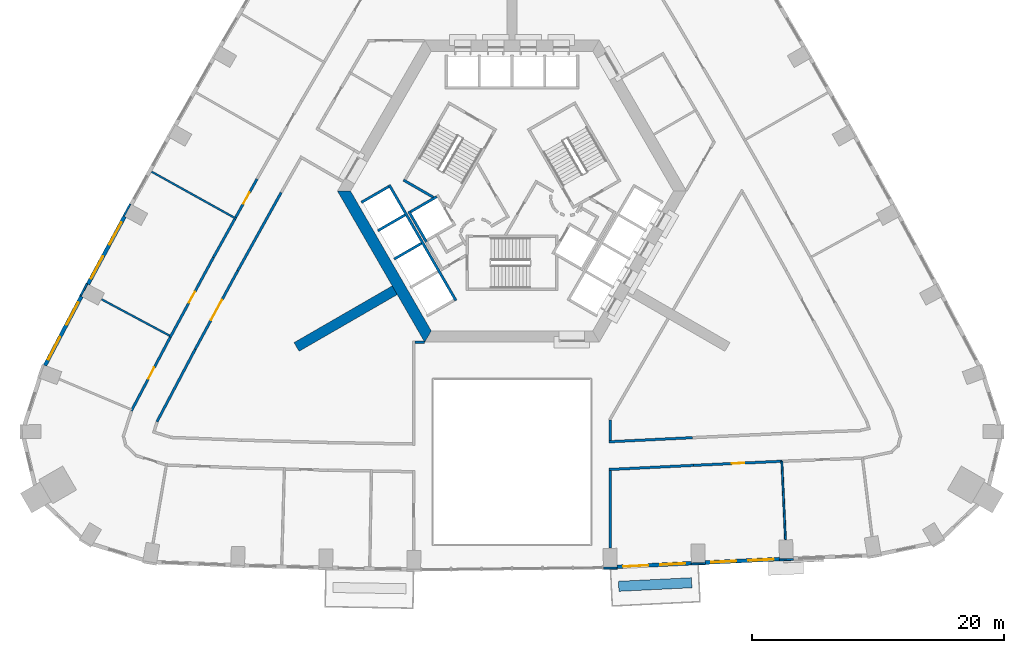
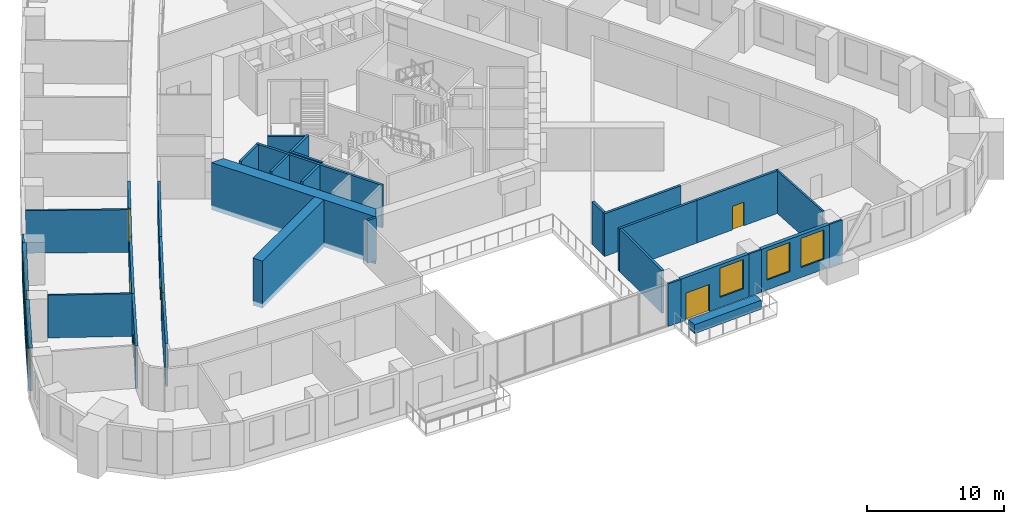
# One storey, part 5 of 14: 35 walls, 7 windows, 6 doors, 13 openings.
"""IFC4 building model written with IfcOpenShell, lengths in metres."""

from ifc_helpers import new_model, si_unit, direction, frame, frame_2d, origin, place, context, subcontext, project, spatial, polyline, rectangle, outline, extrude, material, layer, layer_set, type_object, element, fill, save


model = new_model("IFC4")

# Units and contexts
model_context = context("Model", 3, precision=1e-05, world=origin(), true_north=direction((0.0, 1.0)))
body_context = subcontext(model_context, "Body", "Model", "MODEL_VIEW")
ifc_project = project(units=[si_unit("LENGTHUNIT", "METRE"), si_unit("AREAUNIT", "SQUARE_METRE"), si_unit("VOLUMEUNIT", "CUBIC_METRE"), si_unit("PLANEANGLEUNIT", "RADIAN"), si_unit("MASSUNIT", "GRAM", prefix="KILO")], contexts=[model_context])

# Site, building, storey
site_placement = place(None, origin())
site = spatial("IfcSite", under=ifc_project, at=site_placement, CompositionType="ELEMENT")
building_placement = place(site_placement, origin())
building = spatial("IfcBuilding", under=site, at=building_placement, Name="Entoto Arch Interchange Tower", CompositionType="ELEMENT")
storey_placement = place(building_placement, frame((0.0, 0.0, 116.0)))
storey = spatial("IfcBuildingStorey", under=building, at=storey_placement, Name="L25", CompositionType="ELEMENT", Elevation=116.0)

# Walls
ifc_material_1 = material(Name="Concrete C60/75", Category="concrete")
ifc_layer_1 = layer(ifc_material_1, 0.800048828125)
ifc_layer_set_1 = layer_set([ifc_layer_1], Name="Concrete C60/75")
wall_type_1 = type_object("IfcWallType", Name="Buttress wall 800 C60/75", PredefinedType="SHEAR", material=ifc_layer_set_1)
wall_1_placement = place(storey_placement, frame((-9.31005859375, -5.375, -0.39990234375), z_axis=(0.0, 0.0, 1.0), x_axis=(-0.866017533419, -0.500013631625, 0.0)))
element("IfcWall", 1, at=wall_1_placement, inside=storey, type_object=wall_type_1, Name="Buttress wall SW L25", PredefinedType="SHEAR", context=body_context, shape_type="SweptSolid", body=[
    extrude(rectangle(XDim=8.999755859375, YDim=0.800048828125, at=frame_2d((4.5, 0.0))), origin(), (0.0, 0.0, 1.0), 4.199951171875),
])
ifc_layer_2 = layer(ifc_material_1, 0.89990234375)
ifc_layer_set_2 = layer_set([ifc_layer_2], Name="Concrete C60/75")
wall_type_2 = type_object("IfcWallType", Name="Core wall 900 C60/75", PredefinedType="SHEAR", material=ifc_layer_set_2)
wall_2_placement = place(storey_placement, frame((0.0, 0.0, -0.39990234375)))
element("IfcWall", 2, at=wall_2_placement, inside=storey, type_object=wall_type_2, Name="Core wall SW L25", PredefinedType="SHEAR", context=body_context, shape_type="SweptSolid", body=[
    extrude(outline(polyline([(-13.85595703125, 2.5), (-6.927978515625, -9.5), (-6.408935546875, -8.60009765625), (-12.81689453125, 2.5), (-13.85595703125, 2.5)])), origin(), (0.0, 0.0, 1.0), 4.199951171875),
])
ifc_material_2 = material(Name="Concrete C40/50", Category="concrete")
ifc_layer_3 = layer(ifc_material_2, 0.199951171875)
ifc_layer_set_3 = layer_set([ifc_layer_3], Name="Concrete C40/50")
wall_type_3 = type_object("IfcWallType", Name="LIFT SHAFT WALL 200", PredefinedType="STANDARD", material=ifc_layer_set_3)
wall_3_placement = place(storey_placement, frame((-8.19189453125, 0.887939453125, 0.0), z_axis=(0.0, 0.0, 1.0), x_axis=(0.49994636267, -0.866056369097, 0.0)))
element("IfcWall", 3, at=wall_3_placement, inside=storey, type_object=wall_type_3, Name="Shaft wall SW1 back", PredefinedType="STANDARD", context=body_context, shape_type="SweptSolid", body=[
    extrude(rectangle(XDim=2.800048828125, YDim=0.199951171875, at=frame_2d((1.39990234375, 0.0))), origin(), (0.0, 0.0, 1.0), 3.800048828125),
])
wall_4_placement = place(storey_placement, frame((-5.97705078125, 2.052001953125, 0.0), z_axis=(0.0, 0.0, 1.0), x_axis=(-0.865973769406, -0.500089422704, 0.0)))
element("IfcWall", 4, at=wall_4_placement, inside=storey, type_object=wall_type_3, Name="Shaft wall SW1 cross 1", PredefinedType="STANDARD", context=body_context, shape_type="SweptSolid", body=[
    extrude(rectangle(XDim=2.3994140625, YDim=0.199951171875, at=frame_2d((1.19970703125, 0.0))), origin(), (0.0, 0.0, 1.0), 3.800048828125),
])
wall_5_placement = place(storey_placement, frame((-9.7509765625, 2.989990234375, 0.0), z_axis=(0.0, 0.0, 1.0), x_axis=(0.50000090737, -0.866024879913, 0.0)))
element("IfcWall", 5, at=wall_5_placement, inside=storey, type_object=wall_type_3, Name="Shaft wall SW3 front", PredefinedType="STANDARD", context=body_context, shape_type="SweptSolid", body=[
    extrude(rectangle(XDim=10.60009765625, YDim=0.199951171875, at=frame_2d((5.300048828125, 0.0))), origin(), (0.0, 0.0, 1.0), 3.800048828125),
])
wall_6_placement = place(storey_placement, frame((-9.7880859375, 2.85302734375, 0.0), z_axis=(0.0, 0.0, 1.0), x_axis=(-0.865998541277, -0.500046524342, 0.0)))
element("IfcWall", 6, at=wall_6_placement, inside=storey, type_object=wall_type_3, Name="Shaft wall SW3 cross 1", PredefinedType="STANDARD", context=body_context, shape_type="SweptSolid", body=[
    extrude(rectangle(XDim=2.499755859375, YDim=0.199951171875, at=frame_2d((1.25, 0.0))), origin(), (0.0, 0.0, 1.0), 3.800048828125),
])
for number, where, z_axis, x_axis, name in (
    (7, (-8.488037109375, 0.60205078125, 0.0), (0.0, 0.0, 1.0), (-0.866022959057, -0.500004234368, 0.0), "Shaft wall SW3 cross 2"),
    (8, (-7.18798828125, -1.64990234375, 0.0), (0.0, 0.0, 1.0), (-0.866022959057, -0.500004234368, 0.0), "Shaft wall SW3 cross 3"),
):
    element("IfcWall", number, at=place(storey_placement, frame(where, z_axis=z_axis, x_axis=x_axis)), inside=storey, type_object=wall_type_3, Name=name, PredefinedType="STANDARD", context=body_context, shape_type="SweptSolid", body=[
        extrude(rectangle(XDim=2.5, YDim=0.199951171875, at=frame_2d((1.25, 0.0))), origin(), (0.0, 0.0, 1.0), 3.800048828125),
    ])
ifc_material_3 = material(Name="Gypsum board partition on steel studs", Category="steel")
ifc_layer_4 = layer(ifc_material_3, 0.14990234375)
ifc_layer_set_4 = layer_set([ifc_layer_4], Name="Gypsum board partition on steel studs")
wall_type_4 = type_object("IfcWallType", Name="PARTITION 150", PredefinedType="PARTITIONING", material=ifc_layer_set_4)
wall_7_placement = place(storey_placement, frame((21.4208984375, -18.949951171875, 0.0), z_axis=(0.0, 0.0, 1.0), x_axis=(0.046555976109, -0.998915682672, 0.0)))
element("IfcWall", 9, at=wall_7_placement, inside=storey, type_object=wall_type_4, Name="wall:L25:p119", PredefinedType="PARTITIONING", context=body_context, shape_type="SweptSolid", body=[
    extrude(rectangle(XDim=6.22998046875, YDim=0.14990234375, at=frame_2d((3.114990234375, 0.0))), origin(), (0.0, 0.0, 1.0), 3.800048828125),
])
wall_8_placement = place(storey_placement, frame((-21.885009765625, 0.300048828125, 0.0), z_axis=(0.0, 0.0, 1.0), x_axis=(-0.874095944746, 0.485753311237, 0.0)))
element("IfcWall", 10, at=wall_8_placement, inside=storey, type_object=wall_type_4, Name="wall:L25:p131", PredefinedType="PARTITIONING", context=body_context, shape_type="SweptSolid", body=[
    extrude(rectangle(XDim=7.699462890625, YDim=0.14990234375, at=frame_2d((3.849609375, 0.0))), origin(), (0.0, 0.0, 1.0), 3.800048828125),
])
wall_9_placement = place(storey_placement, frame((-27.181884765625, -8.98095703125, 0.0), z_axis=(0.0, 0.0, 1.0), x_axis=(-0.881899408669, 0.471437623647, 0.0)))
element("IfcWall", 11, at=wall_9_placement, inside=storey, type_object=wall_type_4, Name="wall:L25:p132", PredefinedType="PARTITIONING", context=body_context, shape_type="SweptSolid", body=[
    extrude(rectangle(XDim=6.1298828125, YDim=0.14990234375, at=frame_2d((3.06494140625, 0.0))), origin(), (0.0, 0.0, 1.0), 3.800048828125),
])
ifc_layer_5 = layer(ifc_material_3, 0.199951171875)
ifc_layer_set_5 = layer_set([ifc_layer_5], Name="Gypsum board partition on steel studs")
wall_type_5 = type_object("IfcWallType", Name="PARTITION 200", PredefinedType="PARTITIONING", material=ifc_layer_set_5)
wall_10_placement = place(storey_placement, frame((7.699951171875, -17.403076171875, 0.0), z_axis=(0.0, 0.0, 1.0), x_axis=(0.998792748077, 0.049122768543, 0.0)))
element("IfcWall", 12, at=wall_10_placement, inside=storey, type_object=wall_type_5, Name="wall:L25:p018", PredefinedType="PARTITIONING", context=body_context, shape_type="SweptSolid", body=[
    extrude(rectangle(XDim=6.6201171875, YDim=0.199951171875, at=frame_2d((3.31005859375, 0.0))), origin(), (0.0, 0.0, 1.0), 3.800048828125),
])
wall_11_placement = place(storey_placement, frame((-18.323974609375, 2.383056640625, 0.0), z_axis=(0.0, 0.0, 1.0), x_axis=(-0.485826874234, -0.874055060206, 0.0)))
element("IfcWall", 13, at=wall_11_placement, inside=storey, type_object=wall_type_5, Name="wall:L25:p028", PredefinedType="PARTITIONING", context=body_context, shape_type="SweptSolid", body=[
    extrude(rectangle(XDim=7.09912109375, YDim=0.199951171875, at=frame_2d((3.549560546875, 0.0))), origin(), (0.0, 0.0, 1.0), 3.800048828125),
])

# Wall, opening, door
wall_12_placement = place(storey_placement, frame((-21.77294921875, -3.822021484375, 0.0), z_axis=(0.0, 0.0, 1.0), x_axis=(-0.476124717613, -0.87937776483, 0.0)))
wall_12 = element("IfcWall", 14, at=wall_12_placement, inside=storey, type_object=wall_type_5, Name="wall:L25:p029", PredefinedType="PARTITIONING", context=body_context, shape_type="SweptSolid", body=[
    extrude(rectangle(XDim=7.099365234375, YDim=0.199951171875, at=frame_2d((3.5498046875, 0.0))), origin(), (0.0, 0.0, 1.0), 3.800048828125),
])
opening_1_placement = place(wall_12_placement, frame((2.64990234375, 0.0, 0.0)))
opening_1 = element("IfcOpeningElement", 15, at=opening_1_placement, cuts=wall_12, Name="Opening L25-D23", PredefinedType="OPENING", context=body_context, shape_type="SweptSolid", body=[
    extrude(rectangle(XDim=1.800048828125, YDim=2.10009765625, at=frame_2d((0.89990234375, 1.050048828125))), frame((0.0, 0.10986328125, 0.0), z_axis=(0.0, -1.0, 0.0), x_axis=(1.0, 0.0, 0.0)), (0.0, 0.0, 1.0), 0.219970703125),
])
ifc_material_4 = material(Name="Timber door leaf in Steel S235 frame", Category="steel")
door_type_1 = type_object("IfcDoorType", Name="DOOR DD-18 1800x2100", OperationType="DOUBLE_DOOR_SINGLE_SWING", PredefinedType="DOOR", material=ifc_material_4)
door_1_placement = place(opening_1_placement, origin())
door_1 = element("IfcDoor", 16, at=door_1_placement, inside=storey, type_object=door_type_1, Name="door:L25:23", OperationType="DOUBLE_DOOR_SINGLE_SWING", OverallHeight=2.10009765625, OverallWidth=1.800048828125, PredefinedType="DOOR", context=body_context, shape_type="SweptSolid", body=[
    extrude(rectangle(XDim=1.800048828125, YDim=2.10009765625, at=frame_2d((0.89990234375, 1.050048828125))), frame((0.0, 0.02490234375, 0.0), z_axis=(0.0, -1.0, 0.0), x_axis=(1.0, 0.0, 0.0)), (0.0, 0.0, 1.0), 0.050048828125),
])
fill(opening_1, door_1)

# Wall
wall_13_placement = place(storey_placement, frame((-25.153076171875, -10.06494140625, 0.0), z_axis=(0.0, 0.0, 1.0), x_axis=(-0.466663976618, -0.884434696813, 0.0)))
element("IfcWall", 17, at=wall_13_placement, inside=storey, type_object=wall_type_5, Name="wall:L25:p030", PredefinedType="PARTITIONING", context=body_context, shape_type="SweptSolid", body=[
    extrude(rectangle(XDim=6.501220703125, YDim=0.199951171875, at=frame_2d((3.25048828125, 0.0))), origin(), (0.0, 0.0, 1.0), 3.800048828125),
])

# Wall, opening, door
wall_14_placement = place(storey_placement, frame((21.49609375, -18.946044921875, 0.0), z_axis=(0.0, 0.0, 1.0), x_axis=(-0.99891602876, -0.046548549767, 0.0)))
wall_14 = element("IfcWall", 18, at=wall_14_placement, inside=storey, type_object=wall_type_5, Name="wall:L25:p036", PredefinedType="PARTITIONING", context=body_context, shape_type="SweptSolid", body=[
    extrude(rectangle(XDim=7.085693359375, YDim=0.199951171875, at=frame_2d((3.54296875, 0.0))), origin(), (0.0, 0.0, 1.0), 3.800048828125),
])
opening_2_placement = place(wall_14_placement, frame((3.04296875, 0.0, 0.0)))
opening_2 = element("IfcOpeningElement", 19, at=opening_2_placement, cuts=wall_14, Name="Opening L25-D01", PredefinedType="OPENING", context=body_context, shape_type="SweptSolid", body=[
    extrude(rectangle(XDim=1.0, YDim=2.10009765625, at=frame_2d((0.5, 1.050048828125))), frame((0.0, 0.10986328125, 0.0), z_axis=(0.0, -1.0, 0.0), x_axis=(1.0, 0.0, 0.0)), (0.0, 0.0, 1.0), 0.219970703125),
])
door_type_2 = type_object("IfcDoorType", Name="DOOR DS-10 1000x2100", OperationType="SINGLE_SWING_LEFT", PredefinedType="DOOR", material=ifc_material_4)
door_2_placement = place(opening_2_placement, origin())
door_2 = element("IfcDoor", 20, at=door_2_placement, inside=storey, type_object=door_type_2, Name="door:L25:01", OperationType="SINGLE_SWING_LEFT", OverallHeight=2.10009765625, OverallWidth=1.0, PredefinedType="DOOR", context=body_context, shape_type="SweptSolid", body=[
    extrude(rectangle(XDim=1.0, YDim=2.10009765625, at=frame_2d((0.5, 1.050048828125))), frame((0.0, 0.02490234375, 0.0), z_axis=(0.0, -1.0, 0.0), x_axis=(1.0, 0.0, 0.0)), (0.0, 0.0, 1.0), 0.050048828125),
])
fill(opening_2, door_2)

# Wall
wall_15_placement = place(storey_placement, frame((14.41796875, -19.27587890625, 0.0), z_axis=(0.0, 0.0, 1.0), x_axis=(-0.998802248261, -0.04892922305, 0.0)))
element("IfcWall", 21, at=wall_15_placement, inside=storey, type_object=wall_type_5, Name="wall:L25:p037", PredefinedType="PARTITIONING", context=body_context, shape_type="SweptSolid", body=[
    extrude(rectangle(XDim=6.72607421875, YDim=0.199951171875, at=frame_2d((3.363037109375, 0.0))), origin(), (0.0, 0.0, 1.0), 3.800048828125),
])

# Wall, opening, door
wall_16_placement = place(storey_placement, frame((-21.93603515625, 0.4140625, 0.0), z_axis=(0.0, 0.0, 1.0), x_axis=(0.485827202541, 0.874054877723, 0.0)))
wall_16 = element("IfcWall", 22, at=wall_16_placement, inside=storey, type_object=wall_type_5, Name="wall:L25:p064", PredefinedType="PARTITIONING", context=body_context, shape_type="SweptSolid", body=[
    extrude(rectangle(XDim=3.487060546875, YDim=0.199951171875, at=frame_2d((1.74365234375, 0.0))), origin(), (0.0, 0.0, 1.0), 3.800048828125),
])
opening_3_placement = place(wall_16_placement, frame((1.243896484375, 0.0, 0.0)))
opening_3 = element("IfcOpeningElement", 23, at=opening_3_placement, cuts=wall_16, Name="Opening L25-D13", PredefinedType="OPENING", context=body_context, shape_type="SweptSolid", body=[
    extrude(rectangle(XDim=1.0, YDim=2.10009765625, at=frame_2d((0.5, 1.050048828125))), frame((0.0, 0.10986328125, 0.0), z_axis=(0.0, -1.0, 0.0), x_axis=(1.0, 0.0, 0.0)), (0.0, 0.0, 1.0), 0.219970703125),
])
door_3_placement = place(opening_3_placement, origin())
door_3 = element("IfcDoor", 24, at=door_3_placement, inside=storey, type_object=door_type_2, Name="door:L25:13", OperationType="SINGLE_SWING_RIGHT", OverallHeight=2.10009765625, OverallWidth=1.0, PredefinedType="DOOR", context=body_context, shape_type="SweptSolid", body=[
    extrude(rectangle(XDim=1.0, YDim=2.10009765625, at=frame_2d((0.5, 1.050048828125))), frame((0.0, 0.02490234375, 0.0), z_axis=(0.0, -1.0, 0.0), x_axis=(1.0, 0.0, 0.0)), (0.0, 0.0, 1.0), 0.050048828125),
])
fill(opening_3, door_3)

wall_17_placement = place(storey_placement, frame((-27.12890625, -9.093994140625, 0.0), z_axis=(0.0, 0.0, 1.0), x_axis=(0.476090835435, 0.879396108938, 0.0)))
wall_17 = element("IfcWall", 25, at=wall_17_placement, inside=storey, type_object=wall_type_5, Name="wall:L25:p066", PredefinedType="PARTITIONING", context=body_context, shape_type="SweptSolid", body=[
    extrude(rectangle(XDim=7.1982421875, YDim=0.199951171875, at=frame_2d((3.59912109375, 0.0))), origin(), (0.0, 0.0, 1.0), 3.800048828125),
])
opening_4_placement = place(wall_17_placement, frame((3.09912109375, 0.0, 0.0)))
opening_4 = element("IfcOpeningElement", 26, at=opening_4_placement, cuts=wall_17, Name="Opening L25-D14", PredefinedType="OPENING", context=body_context, shape_type="SweptSolid", body=[
    extrude(rectangle(XDim=1.0, YDim=2.10009765625, at=frame_2d((0.5, 1.050048828125))), frame((0.0, 0.10986328125, 0.0), z_axis=(0.0, -1.0, 0.0), x_axis=(1.0, 0.0, 0.0)), (0.0, 0.0, 1.0), 0.219970703125),
])
door_4_placement = place(opening_4_placement, origin())
door_4 = element("IfcDoor", 27, at=door_4_placement, inside=storey, type_object=door_type_2, Name="door:L25:14", OperationType="SINGLE_SWING_RIGHT", OverallHeight=2.10009765625, OverallWidth=1.0, PredefinedType="DOOR", context=body_context, shape_type="SweptSolid", body=[
    extrude(rectangle(XDim=1.0, YDim=2.10009765625, at=frame_2d((0.5, 1.050048828125))), frame((0.0, 0.02490234375, 0.0), z_axis=(0.0, -1.0, 0.0), x_axis=(1.0, 0.0, 0.0)), (0.0, 0.0, 1.0), 0.050048828125),
])
fill(opening_4, door_4)

# Wall
wall_18_placement = place(storey_placement, frame((-23.701904296875, -2.763916015625, 0.0), z_axis=(0.0, 0.0, 1.0), x_axis=(0.485892653581, 0.874018494767, 0.0)))
element("IfcWall", 28, at=wall_18_placement, inside=storey, type_object=wall_type_5, Name="wall:L25:p067", PredefinedType="PARTITIONING", context=body_context, shape_type="SweptSolid", body=[
    extrude(rectangle(XDim=3.486083984375, YDim=0.199951171875, at=frame_2d((1.7431640625, 0.0))), origin(), (0.0, 0.0, 1.0), 3.800048828125),
])

# Wall, opening, door
wall_19_placement = place(storey_placement, frame((-30.220947265625, -14.9560546875, 0.0), z_axis=(0.0, 0.0, 1.0), x_axis=(0.466543318111, 0.884498350663, 0.0)))
wall_19 = element("IfcWall", 29, at=wall_19_placement, inside=storey, type_object=wall_type_5, Name="wall:L25:p068", PredefinedType="PARTITIONING", context=body_context, shape_type="SweptSolid", body=[
    extrude(rectangle(XDim=6.62744140625, YDim=0.199951171875, at=frame_2d((3.313720703125, 0.0))), origin(), (0.0, 0.0, 1.0), 3.800048828125),
])
opening_5_placement = place(wall_19_placement, frame((2.888916015625, 0.0, 0.0)))
opening_5 = element("IfcOpeningElement", 30, at=opening_5_placement, cuts=wall_19, Name="Opening L25-D15", PredefinedType="OPENING", context=body_context, shape_type="SweptSolid", body=[
    extrude(rectangle(XDim=1.0, YDim=2.10009765625, at=frame_2d((0.5, 1.050048828125))), frame((0.0, 0.10986328125, 0.0), z_axis=(0.0, -1.0, 0.0), x_axis=(1.0, 0.0, 0.0)), (0.0, 0.0, 1.0), 0.219970703125),
])
door_5_placement = place(opening_5_placement, origin())
door_5 = element("IfcDoor", 31, at=door_5_placement, inside=storey, type_object=door_type_2, Name="door:L25:15", OperationType="SINGLE_SWING_LEFT", OverallHeight=2.10009765625, OverallWidth=1.0, PredefinedType="DOOR", context=body_context, shape_type="SweptSolid", body=[
    extrude(rectangle(XDim=1.0, YDim=2.10009765625, at=frame_2d((0.5, 1.050048828125))), frame((0.0, 0.02490234375, 0.0), z_axis=(0.0, -1.0, 0.0), x_axis=(1.0, 0.0, 0.0)), (0.0, 0.0, 1.0), 0.050048828125),
])
fill(opening_5, door_5)

# Walls
wall_20_placement = place(storey_placement, frame((7.800048828125, -15.68994140625, 0.0), z_axis=(0.0, 0.0, 1.0), x_axis=(0.0, -1.0, 0.0)))
element("IfcWall", 32, at=wall_20_placement, inside=storey, type_object=wall_type_5, Name="wall:L25:p109", PredefinedType="PARTITIONING", context=body_context, shape_type="SweptSolid", body=[
    extrude(rectangle(XDim=1.608154296875, YDim=0.199951171875, at=frame_2d((0.80419921875, 0.0))), origin(), (0.0, 0.0, 1.0), 3.800048828125),
])
wall_21_placement = place(storey_placement, frame((-7.699951171875, -9.4990234375, 0.0), z_axis=(0.0, 0.0, 1.0), x_axis=(1.0, 0.0, 0.0)))
element("IfcWall", 33, at=wall_21_placement, inside=storey, type_object=wall_type_5, Name="wall:L25:p111", PredefinedType="PARTITIONING", context=body_context, shape_type="SweptSolid", body=[
    extrude(rectangle(XDim=0.77099609375, YDim=0.199951171875, at=frame_2d((0.385498046875, 0.0))), origin(), (0.0, 0.0, 1.0), 3.800048828125),
])
wall_22_placement = place(storey_placement, frame((7.800048828125, -19.700927734375, 0.0), z_axis=(0.0, 0.0, 1.0), x_axis=(0.0, -1.0, 0.0)))
element("IfcWall", 34, at=wall_22_placement, inside=storey, type_object=wall_type_5, Name="wall:L25:p112", PredefinedType="PARTITIONING", context=body_context, shape_type="SweptSolid", body=[
    extrude(rectangle(XDim=6.13916015625, YDim=0.199951171875, at=frame_2d((3.069580078125, 0.0))), origin(), (0.0, 0.0, 1.0), 3.800048828125),
])
ifc_material_5 = material(Name="Board-marked precast concrete C50/60", Category="concrete")
ifc_layer_6 = layer(ifc_material_5, 0.800048828125)
ifc_layer_set_6 = layer_set([ifc_layer_6], Name="Board-marked precast concrete C50/60")
wall_type_6 = type_object("IfcWallType", Name="PLANTER RC 800 Hagenia abyssinica", PredefinedType="STANDARD", material=ifc_layer_set_6)
wall_23_placement = place(storey_placement, frame((8.468017578125, -28.87890625, 0.0), z_axis=(0.0, 0.0, 1.0), x_axis=(0.998802192145, 0.048930368554, 0.0)))
element("IfcWall", 35, at=wall_23_placement, inside=storey, type_object=wall_type_6, Name="Planter S-05 L25", PredefinedType="STANDARD", context=body_context, shape_type="SweptSolid", body=[
    extrude(rectangle(XDim=5.802734375, YDim=0.800048828125, at=frame_2d((2.9013671875, 0.0))), origin(), (0.0, 0.0, 1.0), 0.800048828125),
])
ifc_layer_7 = layer(ifc_material_2, 0.199951171875)
ifc_layer_set_7 = layer_set([ifc_layer_7], Name="Concrete C40/50")
wall_type_7 = type_object("IfcWallType", Name="STAIR ENCLOSURE WALL 200", PredefinedType="STANDARD", material=ifc_layer_set_7)
wall_24_placement = place(storey_placement, frame((-6.25, 2.010009765625, 0.0), z_axis=(0.0, 0.0, 1.0), x_axis=(-0.86611865017, 0.499838457731, 0.0)))
element("IfcWall", 36, at=wall_24_placement, inside=storey, type_object=wall_type_7, Name="Stair wall ST-NW far", PredefinedType="STANDARD", context=body_context, shape_type="SweptSolid", body=[
    extrude(rectangle(XDim=2.73291015625, YDim=0.199951171875, at=frame_2d((1.366455078125, 0.0))), origin(), (0.0, 0.0, 1.0), 3.800048828125),
])

# Wall, openings, door, window
ifc_material_6 = material(Name="Welded tuff (ignimbrite) cladding, warm buff", Category="masonry")
ifc_layer_8 = layer(ifc_material_6, 0.300048828125)
ifc_layer_set_8 = layer_set([ifc_layer_8], Name="Welded tuff (ignimbrite) cladding, warm buff")
wall_type_8 = type_object("IfcWallType", Name="STONE INFILL WALL 300", PredefinedType="STANDARD", material=ifc_layer_set_8)
wall_25_placement = place(storey_placement, frame((8.346923828125, -27.3330078125, 0.0), z_axis=(0.0, 0.0, 1.0), x_axis=(0.998800343021, 0.048968099633, 0.0)))
wall_25 = element("IfcWall", 37, at=wall_25_placement, inside=storey, type_object=wall_type_8, Name="Facade wall S-05 L25", PredefinedType="STANDARD", context=body_context, shape_type="SweptSolid", body=[
    extrude(rectangle(XDim=5.903076171875, YDim=0.300048828125, at=frame_2d((2.95166015625, 0.0))), origin(), (0.0, 0.0, 1.0), 3.800048828125),
])
opening_6_placement = place(wall_25_placement, frame((0.47607421875, 0.0, 0.0)))
opening_6 = element("IfcOpeningElement", 38, at=opening_6_placement, cuts=wall_25, Name="Opening DB-S-05-L25", PredefinedType="OPENING", context=body_context, shape_type="SweptSolid", body=[
    extrude(rectangle(XDim=2.0, YDim=2.39990234375, at=frame_2d((1.0, 1.199951171875))), frame((0.0, 0.16015625, 0.0), z_axis=(0.0, -1.0, 0.0), x_axis=(1.0, 0.0, 0.0)), (0.0, 0.0, 1.0), 0.320068359375),
])
opening_7_placement = place(wall_25_placement, frame((3.427001953125, 0.0, 0.89990234375)))
opening_7 = element("IfcOpeningElement", 39, at=opening_7_placement, cuts=wall_25, Name="Opening WO-C", PredefinedType="OPENING", context=body_context, shape_type="SweptSolid", body=[
    extrude(rectangle(XDim=2.0, YDim=2.60009765625, at=frame_2d((1.0, 1.300048828125))), frame((0.0, 0.16015625, 0.0), z_axis=(0.0, -1.0, 0.0), x_axis=(1.0, 0.0, 0.0)), (0.0, 0.0, 1.0), 0.320068359375),
])
ifc_material_7 = material(Name="Aluminium and clear glass, anodised", Category="aluminium")
door_type_3 = type_object("IfcDoorType", Name="BALCONY DOOR DB 2000x2400", OperationType="SLIDING_TO_LEFT", PredefinedType="DOOR", material=ifc_material_7)
door_6_placement = place(opening_6_placement, origin())
door_6 = element("IfcDoor", 40, at=door_6_placement, inside=storey, type_object=door_type_3, Name="Balcony door S-05 L25", OperationType="SLIDING_TO_LEFT", OverallHeight=2.39990234375, OverallWidth=2.0, PredefinedType="DOOR", context=body_context, shape_type="SweptSolid", body=[
    extrude(rectangle(XDim=2.0, YDim=2.39990234375, at=frame_2d((1.0, 1.199951171875))), frame((0.0, 0.02490234375, 0.0), z_axis=(0.0, -1.0, 0.0), x_axis=(1.0, 0.0, 0.0)), (0.0, 0.0, 1.0), 0.050048828125),
])
fill(opening_6, door_6)
ifc_material_8 = material(Name="Clear glass, low-e double glazed", Category="glass")
window_type = type_object("IfcWindowType", Name="WINDOW WO-C 2000x2600", PartitioningType="DOUBLE_PANEL_VERTICAL", PredefinedType="WINDOW", material=ifc_material_8)
window_1_placement = place(opening_7_placement, origin())
window_1 = element("IfcWindow", 41, at=window_1_placement, inside=storey, type_object=window_type, Name="Window WO-C S-05 L25", OverallHeight=2.60009765625, OverallWidth=2.0, PartitioningType="SINGLE_PANEL", PredefinedType="WINDOW", context=body_context, shape_type="SweptSolid", body=[
    extrude(rectangle(XDim=2.0, YDim=2.60009765625, at=frame_2d((1.0, 1.300048828125))), frame((0.0, 0.030029296875, 0.0), z_axis=(0.0, -1.0, 0.0), x_axis=(1.0, 0.0, 0.0)), (0.0, 0.0, 1.0), 0.06005859375),
])
fill(opening_7, window_1)

# Wall, openings, windows
wall_26_placement = place(storey_placement, frame((15.340087890625, -26.990966796875, 0.0), z_axis=(0.0, 0.0, 1.0), x_axis=(0.998922139094, 0.046417238469, 0.0)))
wall_26 = element("IfcWall", 42, at=wall_26_placement, inside=storey, type_object=wall_type_8, Name="Facade wall S-06 L25", PredefinedType="STANDARD", context=body_context, shape_type="SweptSolid", body=[
    extrude(rectangle(XDim=5.9013671875, YDim=0.300048828125, at=frame_2d((2.95068359375, 0.0))), origin(), (0.0, 0.0, 1.0), 3.800048828125),
])
opening_8_placement = place(wall_26_placement, frame((0.47509765625, 0.0, 0.89990234375)))
opening_8 = element("IfcOpeningElement", 43, at=opening_8_placement, cuts=wall_26, Name="Opening WO-C", PredefinedType="OPENING", context=body_context, shape_type="SweptSolid", body=[
    extrude(rectangle(XDim=2.0, YDim=2.60009765625, at=frame_2d((1.0, 1.300048828125))), frame((0.0, 0.16015625, 0.0), z_axis=(0.0, -1.0, 0.0), x_axis=(1.0, 0.0, 0.0)), (0.0, 0.0, 1.0), 0.320068359375),
])
opening_9_placement = place(wall_26_placement, frame((3.426025390625, 0.0, 0.89990234375)))
opening_9 = element("IfcOpeningElement", 44, at=opening_9_placement, cuts=wall_26, Name="Opening WO-C", PredefinedType="OPENING", context=body_context, shape_type="SweptSolid", body=[
    extrude(rectangle(XDim=2.0, YDim=2.60009765625, at=frame_2d((1.0, 1.300048828125))), frame((0.0, 0.16015625, 0.0), z_axis=(0.0, -1.0, 0.0), x_axis=(1.0, 0.0, 0.0)), (0.0, 0.0, 1.0), 0.320068359375),
])
window_2_placement = place(opening_8_placement, origin())
window_2 = element("IfcWindow", 45, at=window_2_placement, inside=storey, type_object=window_type, Name="Window WO-C S-06 L25", OverallHeight=2.60009765625, OverallWidth=2.0, PartitioningType="SINGLE_PANEL", PredefinedType="WINDOW", context=body_context, shape_type="SweptSolid", body=[
    extrude(rectangle(XDim=2.0, YDim=2.60009765625, at=frame_2d((1.0, 1.300048828125))), frame((0.0, 0.030029296875, 0.0), z_axis=(0.0, -1.0, 0.0), x_axis=(1.0, 0.0, 0.0)), (0.0, 0.0, 1.0), 0.06005859375),
])
fill(opening_8, window_2)
window_3_placement = place(opening_9_placement, origin())
window_3 = element("IfcWindow", 46, at=window_3_placement, inside=storey, type_object=window_type, Name="Window WO-C S-06 L25", OverallHeight=2.60009765625, OverallWidth=2.0, PartitioningType="SINGLE_PANEL", PredefinedType="WINDOW", context=body_context, shape_type="SweptSolid", body=[
    extrude(rectangle(XDim=2.0, YDim=2.60009765625, at=frame_2d((1.0, 1.300048828125))), frame((0.0, 0.030029296875, 0.0), z_axis=(0.0, -1.0, 0.0), x_axis=(1.0, 0.0, 0.0)), (0.0, 0.0, 1.0), 0.06005859375),
])
fill(opening_9, window_3)

wall_27_placement = place(storey_placement, frame((-30.758056640625, 0.48095703125, 0.0), z_axis=(0.0, 0.0, 1.0), x_axis=(-0.476097776444, -0.879392351152, 0.0)))
wall_27 = element("IfcWall", 47, at=wall_27_placement, inside=storey, type_object=wall_type_8, Name="Facade wall NW-07 L25", PredefinedType="STANDARD", context=body_context, shape_type="SweptSolid", body=[
    extrude(rectangle(XDim=6.10986328125, YDim=0.300048828125, at=frame_2d((3.054931640625, 0.0))), origin(), (0.0, 0.0, 1.0), 3.800048828125),
])
opening_10_placement = place(wall_27_placement, frame((0.527099609375, 0.0, 0.89990234375)))
opening_10 = element("IfcOpeningElement", 48, at=opening_10_placement, cuts=wall_27, Name="Opening WO-C", PredefinedType="OPENING", context=body_context, shape_type="SweptSolid", body=[
    extrude(rectangle(XDim=2.0, YDim=2.60009765625, at=frame_2d((1.0, 1.300048828125))), frame((0.0, 0.16015625, 0.0), z_axis=(0.0, -1.0, 0.0), x_axis=(1.0, 0.0, 0.0)), (0.0, 0.0, 1.0), 0.320068359375),
])
opening_11_placement = place(wall_27_placement, frame((3.58203125, 0.0, 0.89990234375)))
opening_11 = element("IfcOpeningElement", 49, at=opening_11_placement, cuts=wall_27, Name="Opening WO-C", PredefinedType="OPENING", context=body_context, shape_type="SweptSolid", body=[
    extrude(rectangle(XDim=2.0, YDim=2.60009765625, at=frame_2d((1.0, 1.300048828125))), frame((0.0, 0.16015625, 0.0), z_axis=(0.0, -1.0, 0.0), x_axis=(1.0, 0.0, 0.0)), (0.0, 0.0, 1.0), 0.320068359375),
])
window_4_placement = place(opening_10_placement, origin())
window_4 = element("IfcWindow", 50, at=window_4_placement, inside=storey, type_object=window_type, Name="Window WO-C NW-07 L25", OverallHeight=2.60009765625, OverallWidth=2.0, PartitioningType="SINGLE_PANEL", PredefinedType="WINDOW", context=body_context, shape_type="SweptSolid", body=[
    extrude(rectangle(XDim=2.0, YDim=2.60009765625, at=frame_2d((1.0, 1.300048828125))), frame((0.0, 0.030029296875, 0.0), z_axis=(0.0, -1.0, 0.0), x_axis=(1.0, 0.0, 0.0)), (0.0, 0.0, 1.0), 0.06005859375),
])
fill(opening_10, window_4)
window_5_placement = place(opening_11_placement, origin())
window_5 = element("IfcWindow", 51, at=window_5_placement, inside=storey, type_object=window_type, Name="Window WO-C NW-07 L25", OverallHeight=2.60009765625, OverallWidth=2.0, PartitioningType="SINGLE_PANEL", PredefinedType="WINDOW", context=body_context, shape_type="SweptSolid", body=[
    extrude(rectangle(XDim=2.0, YDim=2.60009765625, at=frame_2d((1.0, 1.300048828125))), frame((0.0, 0.030029296875, 0.0), z_axis=(0.0, -1.0, 0.0), x_axis=(1.0, 0.0, 0.0)), (0.0, 0.0, 1.0), 0.06005859375),
])
fill(opening_11, window_5)

wall_28_placement = place(storey_placement, frame((-34.18505859375, -5.860107421875, 0.0), z_axis=(0.0, 0.0, 1.0), x_axis=(-0.466599547852, -0.88446868907, 0.0)))
wall_28 = element("IfcWall", 52, at=wall_28_placement, inside=storey, type_object=wall_type_8, Name="Facade wall NW-08 L25", PredefinedType="STANDARD", context=body_context, shape_type="SweptSolid", body=[
    extrude(rectangle(XDim=6.202392578125, YDim=0.300048828125, at=frame_2d((3.10107421875, 0.0))), origin(), (0.0, 0.0, 1.0), 3.800048828125),
])
opening_12_placement = place(wall_28_placement, frame((0.551025390625, 0.0, 0.89990234375)))
opening_12 = element("IfcOpeningElement", 53, at=opening_12_placement, cuts=wall_28, Name="Opening WO-C", PredefinedType="OPENING", context=body_context, shape_type="SweptSolid", body=[
    extrude(rectangle(XDim=2.0, YDim=2.60009765625, at=frame_2d((1.0, 1.300048828125))), frame((0.0, 0.16015625, 0.0), z_axis=(0.0, -1.0, 0.0), x_axis=(1.0, 0.0, 0.0)), (0.0, 0.0, 1.0), 0.320068359375),
])
opening_13_placement = place(wall_28_placement, frame((3.652099609375, 0.0, 0.89990234375)))
opening_13 = element("IfcOpeningElement", 54, at=opening_13_placement, cuts=wall_28, Name="Opening WO-C", PredefinedType="OPENING", context=body_context, shape_type="SweptSolid", body=[
    extrude(rectangle(XDim=2.0, YDim=2.60009765625, at=frame_2d((1.0, 1.300048828125))), frame((0.0, 0.16015625, 0.0), z_axis=(0.0, -1.0, 0.0), x_axis=(1.0, 0.0, 0.0)), (0.0, 0.0, 1.0), 0.320068359375),
])
window_6_placement = place(opening_12_placement, origin())
window_6 = element("IfcWindow", 55, at=window_6_placement, inside=storey, type_object=window_type, Name="Window WO-C NW-08 L25", OverallHeight=2.60009765625, OverallWidth=2.0, PartitioningType="SINGLE_PANEL", PredefinedType="WINDOW", context=body_context, shape_type="SweptSolid", body=[
    extrude(rectangle(XDim=2.0, YDim=2.60009765625, at=frame_2d((1.0, 1.300048828125))), frame((0.0, 0.030029296875, 0.0), z_axis=(0.0, -1.0, 0.0), x_axis=(1.0, 0.0, 0.0)), (0.0, 0.0, 1.0), 0.06005859375),
])
fill(opening_12, window_6)
window_7_placement = place(opening_13_placement, origin())
window_7 = element("IfcWindow", 56, at=window_7_placement, inside=storey, type_object=window_type, Name="Window WO-C NW-08 L25", OverallHeight=2.60009765625, OverallWidth=2.0, PartitioningType="SINGLE_PANEL", PredefinedType="WINDOW", context=body_context, shape_type="SweptSolid", body=[
    extrude(rectangle(XDim=2.0, YDim=2.60009765625, at=frame_2d((1.0, 1.300048828125))), frame((0.0, 0.030029296875, 0.0), z_axis=(0.0, -1.0, 0.0), x_axis=(1.0, 0.0, 0.0)), (0.0, 0.0, 1.0), 0.06005859375),
])
fill(opening_13, window_7)

# Walls
ifc_layer_9 = layer(ifc_material_6, 0.14990234375)
ifc_layer_set_9 = layer_set([ifc_layer_9], Name="Welded tuff (ignimbrite) cladding, warm buff")
wall_type_9 = type_object("IfcWallType", Name="STONE PIER CLADDING 150", PredefinedType="STANDARD", material=ifc_layer_set_9)
wall_29_placement = place(storey_placement, frame((-30.298095703125, 1.48291015625, 0.0), z_axis=(0.0, 0.0, 1.0), x_axis=(-0.479566870346, -0.877505337229, 0.0)))
element("IfcWall", 57, at=wall_29_placement, inside=storey, type_object=wall_type_9, Name="Stone pier NW07 L25", PredefinedType="STANDARD", context=body_context, shape_type="SweptSolid", body=[
    extrude(rectangle(XDim=1.1005859375, YDim=0.14990234375, at=frame_2d((0.55029296875, 0.0))), origin(), (0.0, 0.0, 1.0), 3.800048828125),
])
wall_30_placement = place(storey_placement, frame((-33.737060546875, -4.85400390625, 0.0), z_axis=(0.0, 0.0, 1.0), x_axis=(-0.46919310775, -0.883095593716, 0.0)))
element("IfcWall", 58, at=wall_30_placement, inside=storey, type_object=wall_type_9, Name="Stone pier NW08 L25", PredefinedType="STANDARD", context=body_context, shape_type="SweptSolid", body=[
    extrude(rectangle(XDim=1.099365234375, YDim=0.14990234375, at=frame_2d((0.5498046875, 0.0))), origin(), (0.0, 0.0, 1.0), 3.800048828125),
])
wall_31_placement = place(storey_placement, frame((7.2490234375, -27.43994140625, 0.0), z_axis=(0.0, 0.0, 1.0), x_axis=(0.99995860686, 0.009098602504, 0.0)))
element("IfcWall", 59, at=wall_31_placement, inside=storey, type_object=wall_type_9, Name="Stone pier S05 L25", PredefinedType="STANDARD", context=body_context, shape_type="SweptSolid", body=[
    extrude(rectangle(XDim=1.10009765625, YDim=0.14990234375, at=frame_2d((0.550048828125, 0.0))), origin(), (0.0, 0.0, 1.0), 3.800048828125),
])
wall_32_placement = place(storey_placement, frame((14.242919921875, -27.10498046875, 0.0), z_axis=(0.0, 0.0, 1.0), x_axis=(0.999723421029, 0.023517683673, 0.0)))
element("IfcWall", 60, at=wall_32_placement, inside=storey, type_object=wall_type_9, Name="Stone pier S06 L25", PredefinedType="STANDARD", context=body_context, shape_type="SweptSolid", body=[
    extrude(rectangle(XDim=1.100341796875, YDim=0.14990234375, at=frame_2d((0.55029296875, 0.0))), origin(), (0.0, 0.0, 1.0), 3.800048828125),
])
wall_33_placement = place(storey_placement, frame((21.237060546875, -26.785888671875, 0.0), z_axis=(0.0, 0.0, 1.0), x_axis=(0.999376638472, 0.035303462679, 0.0)))
element("IfcWall", 61, at=wall_33_placement, inside=storey, type_object=wall_type_9, Name="Stone pier S07 L25", PredefinedType="STANDARD", context=body_context, shape_type="SweptSolid", body=[
    extrude(rectangle(XDim=1.099609375, YDim=0.14990234375, at=frame_2d((0.5498046875, 0.0))), origin(), (0.0, 0.0, 1.0), 3.800048828125),
])

save(model, "model.ifc")
